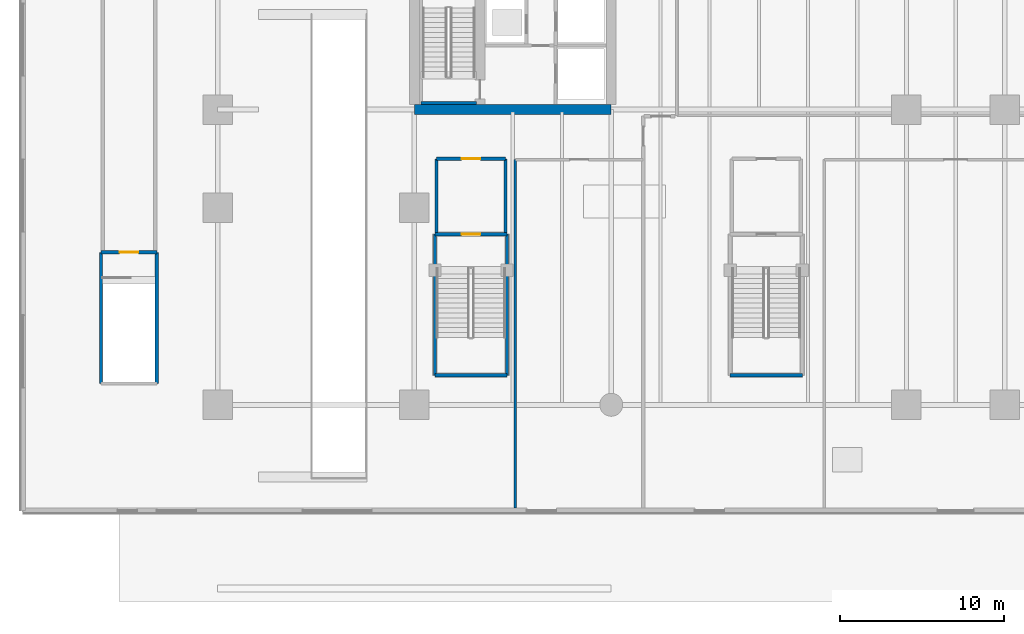
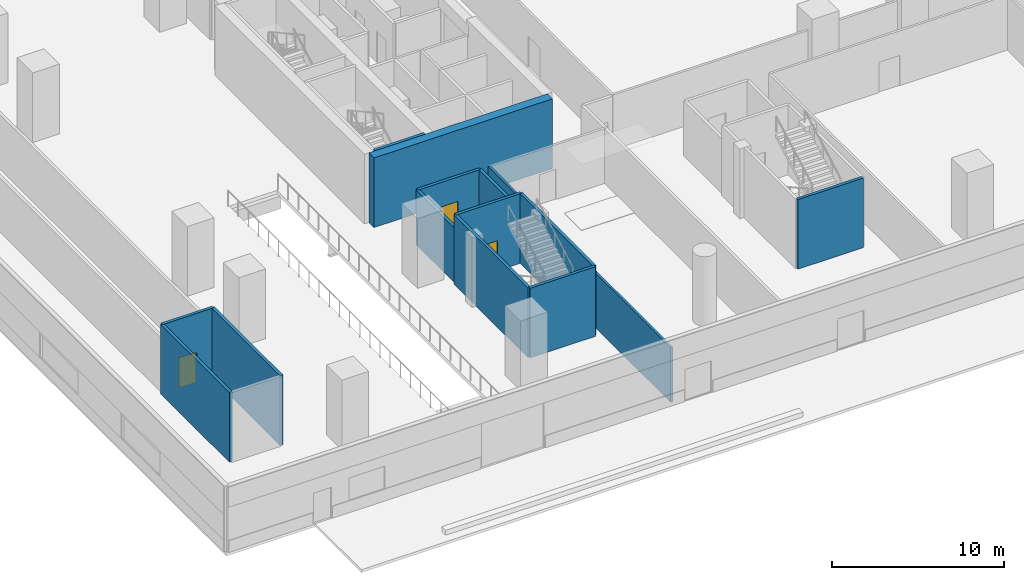
# One storey, part 3 of 25: 14 walls, 3 doors, 3 openings.
"""IFC4 building model written with IfcOpenShell, lengths in metres."""

from ifc_helpers import new_model, si_unit, direction, frame, frame_2d, origin, place, context, subcontext, project, spatial, rectangle, extrude, material, layer, layer_set, type_object, element, fill, save


model = new_model("IFC4")

# Units and contexts
model_context = context("Model", 3, precision=1e-05, world=origin(), true_north=direction((0.0, 1.0)))
body_context = subcontext(model_context, "Body", "Model", "MODEL_VIEW")
ifc_project = project(units=[si_unit("LENGTHUNIT", "METRE"), si_unit("AREAUNIT", "SQUARE_METRE"), si_unit("VOLUMEUNIT", "CUBIC_METRE"), si_unit("PLANEANGLEUNIT", "RADIAN"), si_unit("MASSUNIT", "GRAM", prefix="KILO")], contexts=[model_context])

# Site, building, storey
site_placement = place(None, origin())
site = spatial("IfcSite", under=ifc_project, at=site_placement, CompositionType="ELEMENT")
building_placement = place(site_placement, origin())
building = spatial("IfcBuilding", under=site, at=building_placement, Name="Tanjung Sevakor Pilgrim Tower", CompositionType="ELEMENT")
storey_placement = place(building_placement, origin())
storey = spatial("IfcBuildingStorey", under=building, at=storey_placement, Name="L01", CompositionType="ELEMENT", Elevation=0.0)

# Walls
ifc_material_1 = material(Name="Concrete C60/75", Category="concrete")
ifc_layer_1 = layer(ifc_material_1, 0.60009765625)
ifc_layer_set_1 = layer_set([ifc_layer_1], Name="WALL-CW-600")
wall_type_1 = type_object("IfcWallType", Name="WALL-CW-600", PredefinedType="SHEAR", material=ifc_layer_set_1)
wall_1_placement = place(storey_placement, frame((24.0, 24.60009765625, 0.0), z_axis=(0.0, 0.0, 1.0), x_axis=(1.0, 0.0, 0.0)))
element("IfcWall", 1, at=wall_1_placement, inside=storey, type_object=wall_type_1, Name="L01 W Core South Shear Wall", PredefinedType="SHEAR", context=body_context, shape_type="SweptSolid", body=[
    extrude(rectangle(XDim=12.0, YDim=0.60009765625, at=frame_2d((6.0, 0.0))), origin(), (0.0, 0.0, 1.0), 4.949951171875),
])
ifc_material_2 = material(Name="Concrete C40/50", Category="concrete")
ifc_layer_2 = layer(ifc_material_2, 0.14990234375)
ifc_layer_set_2 = layer_set([ifc_layer_2], Name="WT-COMP-150")
wall_type_2 = type_object("IfcWallType", Name="WT-COMP-150", PredefinedType="SOLIDWALL", material=ifc_layer_set_2)
wall_2_placement = place(storey_placement, frame((30.14990234375, 0.300048828125, 0.0), z_axis=(0.0, 0.0, 1.0), x_axis=(0.0, 1.0, 0.0)))
element("IfcWall", 2, at=wall_2_placement, inside=storey, type_object=wall_type_2, Name="L01 Partition IW-L01-078", PredefinedType="SOLIDWALL", context=body_context, shape_type="SweptSolid", body=[
    extrude(rectangle(XDim=21.25, YDim=0.14990234375, at=frame_2d((10.625, 0.0))), origin(), (0.0, 0.0, 1.0), 3.889892578125),
])
ifc_material_3 = material(Name="Concrete C40/50", Category="concrete")
ifc_layer_3 = layer(ifc_material_3, 0.199951171875)
ifc_layer_set_3 = layer_set([ifc_layer_3], Name="WT-FIRE-200")
wall_type_3 = type_object("IfcWallType", Name="WT-FIRE-200", PredefinedType="SOLIDWALL", material=ifc_layer_set_3)
wall_3_placement = place(storey_placement, frame((24.39990234375, 25.0, 0.0), z_axis=(0.0, 0.0, 1.0), x_axis=(1.0, 0.0, 0.0)))
element("IfcWall", 3, at=wall_3_placement, inside=storey, type_object=wall_type_3, Name="L01 TS-W1 Shaft Wall 1", PredefinedType="SOLIDWALL", context=body_context, shape_type="SweptSolid", body=[
    extrude(rectangle(XDim=3.400146484375, YDim=0.199951171875, at=frame_2d((1.7001953125, 0.0))), origin(), (0.0, 0.0, 1.0), 4.949951171875),
])
wall_4_placement = place(storey_placement, frame((25.25, 8.39990234375, 0.0), z_axis=(0.0, 0.0, 1.0), x_axis=(1.0, 0.0, 0.0)))
element("IfcWall", 4, at=wall_4_placement, inside=storey, type_object=wall_type_3, Name="L01 PS-1 Shaft Wall 1", PredefinedType="SOLIDWALL", context=body_context, shape_type="SweptSolid", body=[
    extrude(rectangle(XDim=4.39990234375, YDim=0.199951171875, at=frame_2d((2.199951171875, 0.0))), origin(), (0.0, 0.0, 1.0), 4.949951171875),
])
wall_5_placement = place(storey_placement, frame((29.64990234375, 8.39990234375, 0.0), z_axis=(0.0, 0.0, 1.0), x_axis=(0.0, 1.0, 0.0)))
element("IfcWall", 5, at=wall_5_placement, inside=storey, type_object=wall_type_3, Name="L01 PS-1 Shaft Wall 2", PredefinedType="SOLIDWALL", context=body_context, shape_type="SweptSolid", body=[
    extrude(rectangle(XDim=8.60009765625, YDim=0.199951171875, at=frame_2d((4.300048828125, 0.0))), origin(), (0.0, 0.0, 1.0), 4.949951171875),
])

# Wall, opening, door
wall_6_placement = place(storey_placement, frame((29.64990234375, 17.0, 0.0), z_axis=(0.0, 0.0, 1.0), x_axis=(-1.0, 0.0, 0.0)))
wall_6 = element("IfcWall", 6, at=wall_6_placement, inside=storey, type_object=wall_type_3, Name="L01 PS-1 Shaft Wall 3", PredefinedType="SOLIDWALL", context=body_context, shape_type="SweptSolid", body=[
    extrude(rectangle(XDim=4.39990234375, YDim=0.199951171875, at=frame_2d((2.199951171875, 0.0))), origin(), (0.0, 0.0, 1.0), 4.949951171875),
])
opening_1_placement = place(wall_6_placement, frame((1.625, 0.0, 0.0)))
opening_1 = element("IfcOpeningElement", 7, at=opening_1_placement, cuts=wall_6, Name="Opening ID-ST1", PredefinedType="OPENING", context=body_context, shape_type="SweptSolid", body=[
    extrude(rectangle(XDim=1.14990234375, YDim=2.14990234375, at=frame_2d((0.574951171875, 1.074951171875))), frame((0.0, 0.10986328125, 0.0), z_axis=(0.0, -1.0, 0.0), x_axis=(1.0, 0.0, 0.0)), (0.0, 0.0, 1.0), 0.219970703125),
])
ifc_material_4 = material(Name="Fire-Rated Steel S355J2", Category="steel")
door_type = type_object("IfcDoorType", Name="DT-FIRE-1150", OperationType="NOTDEFINED", PredefinedType="DOOR", material=ifc_material_4)
door_1_placement = place(opening_1_placement, frame((1.14990234375, 0.0, 0.0), z_axis=(0.0, 0.0, 1.0), x_axis=(-1.0, 0.0, 0.0)))
door_1 = element("IfcDoor", 8, at=door_1_placement, inside=storey, type_object=door_type, Name="L01 PS-1 Stair Entry Fire Door", OperationType="SINGLE_SWING_LEFT", OverallHeight=2.14990234375, OverallWidth=1.14990234375, PredefinedType="DOOR", context=body_context, shape_type="SweptSolid", body=[
    extrude(rectangle(XDim=1.14990234375, YDim=2.14990234375, at=frame_2d((0.574951171875, 1.074951171875))), frame((0.0, 0.02490234375, 0.0), z_axis=(0.0, -1.0, 0.0), x_axis=(1.0, 0.0, 0.0)), (0.0, 0.0, 1.0), 0.050048828125),
])
fill(opening_1, door_1)

# Walls
wall_7_placement = place(storey_placement, frame((25.25, 17.0, 0.0), z_axis=(0.0, 0.0, 1.0), x_axis=(0.0, -1.0, 0.0)))
element("IfcWall", 9, at=wall_7_placement, inside=storey, type_object=wall_type_3, Name="L01 PS-1 Shaft Wall 4", PredefinedType="SOLIDWALL", context=body_context, shape_type="SweptSolid", body=[
    extrude(rectangle(XDim=8.60009765625, YDim=0.199951171875, at=frame_2d((4.300048828125, 0.0))), origin(), (0.0, 0.0, 1.0), 4.949951171875),
])
wall_8_placement = place(storey_placement, frame((43.25, 8.39990234375, 0.0), z_axis=(0.0, 0.0, 1.0), x_axis=(1.0, 0.0, 0.0)))
element("IfcWall", 10, at=wall_8_placement, inside=storey, type_object=wall_type_3, Name="L01 PS-3 Shaft Wall 1", PredefinedType="SOLIDWALL", context=body_context, shape_type="SweptSolid", body=[
    extrude(rectangle(XDim=4.39990234375, YDim=0.199951171875, at=frame_2d((2.199951171875, 0.0))), origin(), (0.0, 0.0, 1.0), 4.949951171875),
])
wall_9_placement = place(storey_placement, frame((8.300048828125, 7.89990234375, 0.0), z_axis=(0.0, 0.0, 1.0), x_axis=(0.0, 1.0, 0.0)))
element("IfcWall", 11, at=wall_9_placement, inside=storey, type_object=wall_type_3, Name="L01 BS-1 Shaft Wall 2", PredefinedType="SOLIDWALL", context=body_context, shape_type="SweptSolid", body=[
    extrude(rectangle(XDim=8.0, YDim=0.199951171875, at=frame_2d((4.0, 0.0))), origin(), (0.0, 0.0, 1.0), 4.949951171875),
])

# Wall, opening, door
wall_10_placement = place(storey_placement, frame((8.300048828125, 15.89990234375, 0.0), z_axis=(0.0, 0.0, 1.0), x_axis=(-1.0, 0.0, 0.0)))
wall_10 = element("IfcWall", 12, at=wall_10_placement, inside=storey, type_object=wall_type_3, Name="L01 BS-1 Shaft Wall 3", PredefinedType="SOLIDWALL", context=body_context, shape_type="SweptSolid", body=[
    extrude(rectangle(XDim=3.400146484375, YDim=0.199951171875, at=frame_2d((1.7001953125, 0.0))), origin(), (0.0, 0.0, 1.0), 4.949951171875),
])
opening_2_placement = place(wall_10_placement, frame((1.125, 0.0, 0.0)))
opening_2 = element("IfcOpeningElement", 13, at=opening_2_placement, cuts=wall_10, Name="Opening ID-ST1", PredefinedType="OPENING", context=body_context, shape_type="SweptSolid", body=[
    extrude(rectangle(XDim=1.14990234375, YDim=2.14990234375, at=frame_2d((0.574951171875, 1.074951171875))), frame((0.0, 0.10986328125, 0.0), z_axis=(0.0, -1.0, 0.0), x_axis=(1.0, 0.0, 0.0)), (0.0, 0.0, 1.0), 0.219970703125),
])
door_2_placement = place(opening_2_placement, frame((1.14990234375, 0.0, 0.0), z_axis=(0.0, 0.0, 1.0), x_axis=(-1.0, 0.0, 0.0)))
door_2 = element("IfcDoor", 14, at=door_2_placement, inside=storey, type_object=door_type, Name="L01 BS-1 Stair Entry Fire Door", OperationType="SINGLE_SWING_LEFT", OverallHeight=2.14990234375, OverallWidth=1.14990234375, PredefinedType="DOOR", context=body_context, shape_type="SweptSolid", body=[
    extrude(rectangle(XDim=1.14990234375, YDim=2.14990234375, at=frame_2d((0.574951171875, 1.074951171875))), frame((0.0, 0.02490234375, 0.0), z_axis=(0.0, -1.0, 0.0), x_axis=(1.0, 0.0, 0.0)), (0.0, 0.0, 1.0), 0.050048828125),
])
fill(opening_2, door_2)

# Walls
wall_11_placement = place(storey_placement, frame((4.89990234375, 15.89990234375, 0.0), z_axis=(0.0, 0.0, 1.0), x_axis=(0.0, -1.0, 0.0)))
element("IfcWall", 15, at=wall_11_placement, inside=storey, type_object=wall_type_3, Name="L01 BS-1 Shaft Wall 4", PredefinedType="SOLIDWALL", context=body_context, shape_type="SweptSolid", body=[
    extrude(rectangle(XDim=8.0, YDim=0.199951171875, at=frame_2d((4.0, 0.0))), origin(), (0.0, 0.0, 1.0), 4.949951171875),
])
ifc_material_5 = material(Name="Concrete C40/50", Category="concrete")
ifc_layer_4 = layer(ifc_material_5, 0.199951171875)
ifc_layer_set_4 = layer_set([ifc_layer_4], Name="WT-FPRT-200")
wall_type_4 = type_object("IfcWallType", Name="WT-FPRT-200", PredefinedType="SOLIDWALL", material=ifc_layer_set_4)
for number, where, z_axis, x_axis, name in (
    (16, (25.35009765625, 17.0, 0.0), (0.0, 0.0, 1.0), (0.0, 1.0, 0.0), "L01 Partition IW-L01-031"),
    (17, (29.550048828125, 17.0, 0.0), (0.0, 0.0, 1.0), (0.0, 1.0, 0.0), "L01 Partition IW-L01-032"),
):
    element("IfcWall", number, at=place(storey_placement, frame(where, z_axis=z_axis, x_axis=x_axis)), inside=storey, type_object=wall_type_4, Name=name, PredefinedType="SOLIDWALL", context=body_context, shape_type="SweptSolid", body=[
        extrude(rectangle(XDim=4.60009765625, YDim=0.199951171875, at=frame_2d((2.300048828125, 0.0))), origin(), (0.0, 0.0, 1.0), 3.889892578125),
    ])

# Wall, opening, door
wall_12_placement = place(storey_placement, frame((25.35009765625, 21.60009765625, 0.0), z_axis=(0.0, 0.0, 1.0), x_axis=(1.0, 0.0, 0.0)))
wall_12 = element("IfcWall", 18, at=wall_12_placement, inside=storey, type_object=wall_type_4, Name="L01 Partition IW-L01-033", PredefinedType="SOLIDWALL", context=body_context, shape_type="SweptSolid", body=[
    extrude(rectangle(XDim=4.199951171875, YDim=0.199951171875, at=frame_2d((2.10009765625, 0.0))), origin(), (0.0, 0.0, 1.0), 3.889892578125),
])
opening_3_placement = place(wall_12_placement, frame((1.52490234375, 0.0, 0.0)))
opening_3 = element("IfcOpeningElement", 19, at=opening_3_placement, cuts=wall_12, Name="Opening ID-ST1", PredefinedType="OPENING", context=body_context, shape_type="SweptSolid", body=[
    extrude(rectangle(XDim=1.14990234375, YDim=2.14990234375, at=frame_2d((0.574951171875, 1.074951171875))), frame((0.0, 0.10986328125, 0.0), z_axis=(0.0, -1.0, 0.0), x_axis=(1.0, 0.0, 0.0)), (0.0, 0.0, 1.0), 0.219970703125),
])
door_3_placement = place(opening_3_placement, origin())
door_3 = element("IfcDoor", 20, at=door_3_placement, inside=storey, type_object=door_type, Name="L01 Stair Lobby PS1 Exit Door", OperationType="SINGLE_SWING_RIGHT", OverallHeight=2.14990234375, OverallWidth=1.14990234375, PredefinedType="DOOR", context=body_context, shape_type="SweptSolid", body=[
    extrude(rectangle(XDim=1.14990234375, YDim=2.14990234375, at=frame_2d((0.574951171875, 1.074951171875))), frame((0.0, 0.02490234375, 0.0), z_axis=(0.0, -1.0, 0.0), x_axis=(1.0, 0.0, 0.0)), (0.0, 0.0, 1.0), 0.050048828125),
])
fill(opening_3, door_3)

save(model, "model.ifc")
